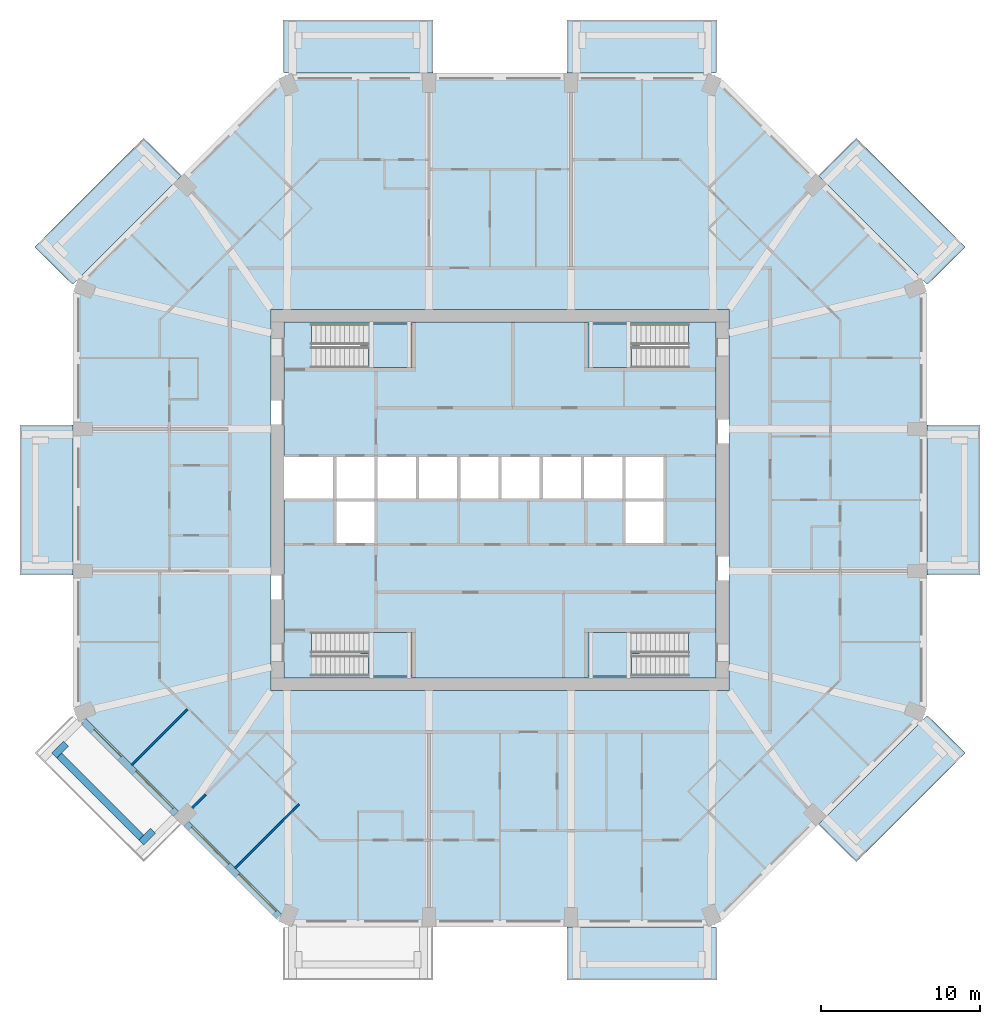
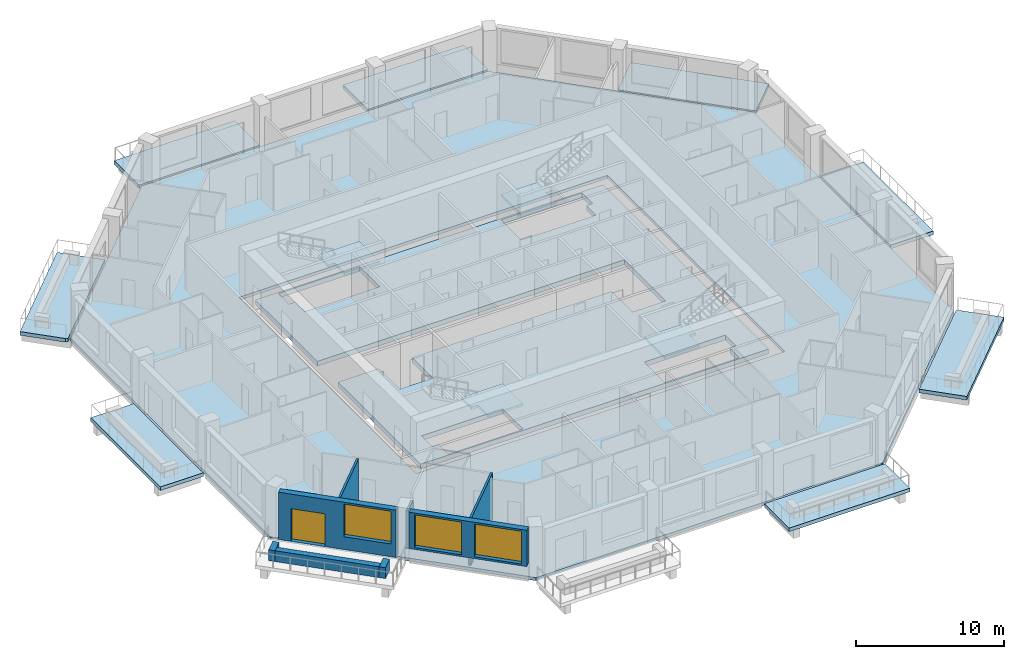
# One storey, part 2 of 13: 14 slabs, 8 walls, 3 windows, 1 door, 4 openings, 4 elements without a shape of their own.
"""IFC4 building model written with IfcOpenShell, lengths in metres."""

from ifc_helpers import new_model, si_unit, direction, frame, frame_2d, origin, place, context, subcontext, project, spatial, polyline, rectangle, outline, extrude, material, layer, layer_set, type_object, element, fill, aggregate, save


model = new_model("IFC4")

# Units and contexts
model_context = context("Model", 3, precision=1e-05, world=origin(), true_north=direction((0.0, 1.0)))
body_context = subcontext(model_context, "Body", "Model", "MODEL_VIEW")
ifc_project = project(units=[si_unit("LENGTHUNIT", "METRE"), si_unit("AREAUNIT", "SQUARE_METRE"), si_unit("VOLUMEUNIT", "CUBIC_METRE"), si_unit("PLANEANGLEUNIT", "RADIAN"), si_unit("MASSUNIT", "GRAM", prefix="KILO")], contexts=[model_context])

# Site, building, storey
site_placement = place(None, origin())
site = spatial("IfcSite", under=ifc_project, at=site_placement, CompositionType="ELEMENT")
building_placement = place(site_placement, origin())
building = spatial("IfcBuilding", under=site, at=building_placement, Name="Msitu Wima Residences", CompositionType="ELEMENT")
storey_placement = place(building_placement, frame((0.0, 0.0, 148.5)))
storey = spatial("IfcBuildingStorey", under=building, at=storey_placement, Name="L34", CompositionType="ELEMENT", Elevation=148.5)

# Slabs
ifc_material_1 = material(Name="Concrete C40/50", Category="concrete")
ifc_layer_1 = layer(ifc_material_1, 0.300048828125)
ifc_layer_set_1 = layer_set([ifc_layer_1], Name="Concrete C40/50")
slab_type_1 = type_object("IfcSlabType", Name="Balcony slab BS300", PredefinedType="FLOOR", material=ifc_layer_set_1)
slab_1_placement = place(storey_placement, frame((0.0, 0.0, -0.300048828125)))
element("IfcSlab", 1, at=slab_1_placement, inside=storey, type_object=slab_type_1, Name="Balcony E1 L34", PredefinedType="FLOOR", context=body_context, shape_type="SweptSolid", body=[
    extrude(outline(polyline([(26.85009765625, 4.0185546875), (26.85009765625, 4.0185546875), (26.85009765625, 4.71875), (30.199951171875, 4.71875), (30.199951171875, -4.71875), (26.85009765625, -4.71875), (26.85009765625, -4.0185546875), (26.85009765625, -4.0185546875), (26.85009765625, 4.0185546875)])), origin(), (0.0, 0.0, 1.0), 0.300048828125),
])
slab_2_placement = place(storey_placement, frame((0.0, 0.0, -0.300048828125)))
element("IfcSlab", 2, at=slab_2_placement, inside=storey, type_object=slab_type_1, Name="Balcony NE0 L34", PredefinedType="FLOOR", context=body_context, shape_type="SweptSolid", body=[
    extrude(outline(polyline([(22.4130859375, 22.766845703125), (29.263671875, 15.916015625), (27.003662109375, 13.656005859375), (26.85009765625, 13.59228515625), (20.04443359375, 20.39794921875), (22.4130859375, 22.766845703125)])), origin(), (0.0, 0.0, 1.0), 0.300048828125),
])
slab_3_placement = place(storey_placement, frame((0.0, 0.0, -0.300048828125)))
element("IfcSlab", 3, at=slab_3_placement, inside=storey, type_object=slab_type_1, Name="Balcony N0 L34", PredefinedType="FLOOR", context=body_context, shape_type="SweptSolid", body=[
    extrude(outline(polyline([(13.105224609375, 26.85009765625), (13.105224609375, 26.85009765625), (4.918701171875, 26.85009765625), (4.918701171875, 26.85009765625), (4.21875, 26.85009765625), (4.21875, 30.199951171875), (13.656005859375, 30.199951171875), (13.656005859375, 27.003662109375), (13.59228515625, 26.85009765625), (13.105224609375, 26.85009765625), (13.105224609375, 26.85009765625)])), origin(), (0.0, 0.0, 1.0), 0.300048828125),
])
slab_4_placement = place(storey_placement, frame((0.0, 0.0, -0.300048828125)))
element("IfcSlab", 4, at=slab_4_placement, inside=storey, type_object=slab_type_1, Name="Balcony N2 L34", PredefinedType="FLOOR", context=body_context, shape_type="SweptSolid", body=[
    extrude(outline(polyline([(-13.105224609375, 26.85009765625), (-13.105224609375, 26.85009765625), (-13.59228515625, 26.85009765625), (-13.656005859375, 27.003662109375), (-13.656005859375, 30.199951171875), (-4.21875, 30.199951171875), (-4.21875, 26.85009765625), (-4.918701171875, 26.85009765625), (-4.918701171875, 26.85009765625), (-13.105224609375, 26.85009765625), (-13.105224609375, 26.85009765625)])), origin(), (0.0, 0.0, 1.0), 0.300048828125),
])
slab_5_placement = place(storey_placement, frame((0.0, 0.0, -0.300048828125)))
element("IfcSlab", 5, at=slab_5_placement, inside=storey, type_object=slab_type_1, Name="Balcony NW1 L34", PredefinedType="FLOOR", context=body_context, shape_type="SweptSolid", body=[
    extrude(outline(polyline([(-29.263671875, 15.916015625), (-22.4130859375, 22.766845703125), (-20.04443359375, 20.39794921875), (-26.85009765625, 13.59228515625), (-27.003662109375, 13.656005859375), (-29.263671875, 15.916015625)])), origin(), (0.0, 0.0, 1.0), 0.300048828125),
])
slab_6_placement = place(storey_placement, frame((0.0, 0.0, -0.300048828125)))
element("IfcSlab", 6, at=slab_6_placement, inside=storey, type_object=slab_type_1, Name="Balcony W1 L34", PredefinedType="FLOOR", context=body_context, shape_type="SweptSolid", body=[
    extrude(outline(polyline([(-26.85009765625, -4.0185546875), (-26.85009765625, -4.0185546875), (-26.85009765625, -4.71875), (-30.199951171875, -4.71875), (-30.199951171875, 4.71875), (-26.85009765625, 4.71875), (-26.85009765625, 4.0185546875), (-26.85009765625, 4.0185546875), (-26.85009765625, -4.0185546875)])), origin(), (0.0, 0.0, 1.0), 0.300048828125),
])
slab_7_placement = place(storey_placement, frame((0.0, 0.0, -0.300048828125)))
element("IfcSlab", 7, at=slab_7_placement, inside=storey, type_object=slab_type_1, Name="Balcony S2 L34", PredefinedType="FLOOR", context=body_context, shape_type="SweptSolid", body=[
    extrude(outline(polyline([(13.105224609375, -26.85009765625), (13.105224609375, -26.85009765625), (13.59228515625, -26.85009765625), (13.656005859375, -27.003662109375), (13.656005859375, -30.199951171875), (4.21875, -30.199951171875), (4.21875, -26.85009765625), (4.918701171875, -26.85009765625), (4.918701171875, -26.85009765625), (13.105224609375, -26.85009765625), (13.105224609375, -26.85009765625)])), origin(), (0.0, 0.0, 1.0), 0.300048828125),
])
slab_8_placement = place(storey_placement, frame((0.0, 0.0, -0.300048828125)))
element("IfcSlab", 8, at=slab_8_placement, inside=storey, type_object=slab_type_1, Name="Balcony SE1 L34", PredefinedType="FLOOR", context=body_context, shape_type="SweptSolid", body=[
    extrude(outline(polyline([(29.263671875, -15.916015625), (22.4130859375, -22.766845703125), (20.04443359375, -20.39794921875), (26.85009765625, -13.59228515625), (27.003662109375, -13.656005859375), (29.263671875, -15.916015625)])), origin(), (0.0, 0.0, 1.0), 0.300048828125),
])
ifc_layer_2 = layer(ifc_material_1, 0.402099609375)
ifc_layer_set_2 = layer_set([ifc_layer_2], Name="Concrete C40/50")
slab_type_2 = type_object("IfcSlabType", Name="Core floor CF402", PredefinedType="FLOOR", material=ifc_layer_set_2)
slab_9_placement = place(storey_placement, frame((0.0, 0.0, -0.402099609375)))
element("IfcSlab", 9, at=slab_9_placement, inside=storey, type_object=slab_type_2, Name="Core floor", PredefinedType="FLOOR", context=body_context, shape_type="SweptSolid", body=[
    extrude(outline(polyline([(-13.60009765625, 11.199951171875), (-13.60009765625, 2.800048828125), (-10.39990234375, 2.800048828125), (-7.800048828125, 2.800048828125), (-5.199951171875, 2.800048828125), (-2.60009765625, 2.800048828125), (0.0, 2.800048828125), (2.60009765625, 2.800048828125), (5.199951171875, 2.800048828125), (7.800048828125, 2.800048828125), (10.39990234375, 2.800048828125), (10.39990234375, 0.0), (10.39990234375, -2.800048828125), (7.800048828125, -2.800048828125), (7.800048828125, 0.0), (5.199951171875, 0.0), (2.60009765625, 0.0), (0.0, 0.0), (-2.60009765625, 0.0), (-5.199951171875, 0.0), (-7.800048828125, 0.0), (-7.800048828125, -2.800048828125), (-10.39990234375, -2.800048828125), (-10.39990234375, 0.0), (-13.60009765625, 0.0), (-13.60009765625, -11.199951171875), (13.60009765625, -11.199951171875), (13.60009765625, 11.199951171875), (-13.60009765625, 11.199951171875)]), holes=[polyline([(-11.375, -11.074951171875), (-11.375, -9.77490234375), (-11.87451171875, -9.77490234375), (-11.87451171875, -8.324951171875), (-5.52490234375, -8.324951171875), (-5.52490234375, -11.074951171875), (-11.375, -11.074951171875)]), polyline([(-11.375, 9.625), (-11.87451171875, 9.625), (-11.87451171875, 11.074951171875), (-5.52490234375, 11.074951171875), (-5.52490234375, 8.324951171875), (-11.375, 8.324951171875), (-11.375, 9.625)]), polyline([(11.375, -9.77490234375), (11.375, -11.074951171875), (5.52490234375, -11.074951171875), (5.52490234375, -8.324951171875), (11.87451171875, -8.324951171875), (11.87451171875, -9.77490234375), (11.375, -9.77490234375)]), polyline([(11.375, 9.625), (11.375, 8.324951171875), (5.52490234375, 8.324951171875), (5.52490234375, 11.074951171875), (11.87451171875, 11.074951171875), (11.87451171875, 9.625), (11.375, 9.625)])]), origin(), (0.0, 0.0, 1.0), 0.402099609375),
])
ifc_layer_3 = layer(ifc_material_1, 0.25)
ifc_layer_set_3 = layer_set([ifc_layer_3], Name="Concrete C40/50")
slab_type_3 = type_object("IfcSlabType", Name="PT flat slab 250 Concrete C40/50", PredefinedType="FLOOR", material=ifc_layer_set_3)
slab_10_placement = place(storey_placement, frame((0.0, 0.0, -0.25)))
element("IfcSlab", 10, at=slab_10_placement, inside=storey, type_object=slab_type_3, Name="Floor slab L34", PredefinedType="FLOOR", context=body_context, shape_type="SweptSolid", body=[
    extrude(outline(polyline([(26.699951171875, -13.5302734375), (13.5302734375, -26.699951171875), (-13.5302734375, -26.699951171875), (-26.699951171875, -13.5302734375), (-26.699951171875, 13.5302734375), (-13.5302734375, 26.699951171875), (13.5302734375, 26.699951171875), (26.699951171875, 13.5302734375), (26.699951171875, -13.5302734375)]), holes=[polyline([(-14.39990234375, -12.0), (14.39990234375, -12.0), (14.39990234375, 12.0), (-14.39990234375, 12.0), (-14.39990234375, -12.0)])]), origin(), (0.0, 0.0, 1.0), 0.25),
])

# Stair, slab
stair_type = type_object("IfcStairType", Name="Exit stair ES1615-130", PredefinedType="HALF_TURN_STAIR", material=ifc_material_1)
stair_1_placement = place(storey_placement, origin())
stair_1 = element("IfcStair", 11, at=stair_1_placement, inside=storey, type_object=stair_type, Name="Exit stair 1", PredefinedType="HALF_TURN_STAIR")
ifc_layer_4 = layer(ifc_material_1, 0.199951171875)
ifc_layer_set_4 = layer_set([ifc_layer_4], Name="Concrete C40/50")
slab_type_4 = type_object("IfcSlabType", Name="Stair landing SL200", PredefinedType="LANDING", material=ifc_layer_set_4)
slab_11_placement = place(storey_placement, frame((0.0, 0.0, 1.89990234375)))
slab_11 = element("IfcSlab", 12, at=slab_11_placement, type_object=slab_type_4, Name="S1 landing 1", PredefinedType="LANDING", context=body_context, shape_type="SweptSolid", body=[
    extrude(outline(polyline([(-5.52490234375, 8.324951171875), (-8.275390625, 8.324951171875), (-8.275390625, 9.699951171875), (-8.77490234375, 9.699951171875), (-8.77490234375, 11.074951171875), (-5.52490234375, 11.074951171875), (-5.52490234375, 8.324951171875)])), origin(), (0.0, 0.0, 1.0), 0.2001953125),
])
aggregate(stair_1, [slab_11])

stair_2_placement = place(storey_placement, origin())
stair_2 = element("IfcStair", 13, at=stair_2_placement, inside=storey, type_object=stair_type, Name="Exit stair 2", PredefinedType="HALF_TURN_STAIR")
slab_12_placement = place(storey_placement, frame((0.0, 0.0, 1.89990234375)))
slab_12 = element("IfcSlab", 14, at=slab_12_placement, type_object=slab_type_4, Name="S2 landing 1", PredefinedType="LANDING", context=body_context, shape_type="SweptSolid", body=[
    extrude(outline(polyline([(-5.52490234375, -11.074951171875), (-8.275390625, -11.074951171875), (-8.275390625, -9.699951171875), (-8.77490234375, -9.699951171875), (-8.77490234375, -8.324951171875), (-5.52490234375, -8.324951171875), (-5.52490234375, -11.074951171875)])), origin(), (0.0, 0.0, 1.0), 0.2001953125),
])
aggregate(stair_2, [slab_12])

stair_3_placement = place(storey_placement, origin())
stair_3 = element("IfcStair", 15, at=stair_3_placement, inside=storey, type_object=stair_type, Name="Exit stair 3", PredefinedType="HALF_TURN_STAIR")
slab_13_placement = place(storey_placement, frame((0.0, 0.0, 1.89990234375)))
slab_13 = element("IfcSlab", 16, at=slab_13_placement, type_object=slab_type_4, Name="S3 landing 1", PredefinedType="LANDING", context=body_context, shape_type="SweptSolid", body=[
    extrude(outline(polyline([(5.52490234375, 8.324951171875), (8.275390625, 8.324951171875), (8.275390625, 9.699951171875), (8.77490234375, 9.699951171875), (8.77490234375, 11.074951171875), (5.52490234375, 11.074951171875), (5.52490234375, 8.324951171875)])), origin(), (0.0, 0.0, 1.0), 0.2001953125),
])
aggregate(stair_3, [slab_13])

stair_4_placement = place(storey_placement, origin())
stair_4 = element("IfcStair", 17, at=stair_4_placement, inside=storey, type_object=stair_type, Name="Exit stair 4", PredefinedType="HALF_TURN_STAIR")
slab_14_placement = place(storey_placement, frame((0.0, 0.0, 1.89990234375)))
slab_14 = element("IfcSlab", 18, at=slab_14_placement, type_object=slab_type_4, Name="S4 landing 1", PredefinedType="LANDING", context=body_context, shape_type="SweptSolid", body=[
    extrude(outline(polyline([(5.52490234375, -11.074951171875), (8.275390625, -11.074951171875), (8.275390625, -9.699951171875), (8.77490234375, -9.699951171875), (8.77490234375, -8.324951171875), (5.52490234375, -8.324951171875), (5.52490234375, -11.074951171875)])), origin(), (0.0, 0.0, 1.0), 0.2001953125),
])
aggregate(stair_4, [slab_14])

# Walls
ifc_material_2 = material(Name="Facing brick")
ifc_layer_5 = layer(ifc_material_2, 0.06494140625, Name="Facing brick")
ifc_layer_6 = layer(ifc_material_1, 0.156005859375, Name="Concrete C40/50")
ifc_material_3 = material(Name="Waterproofing membrane")
ifc_layer_7 = layer(ifc_material_3, 0.00390625, Name="Waterproofing membrane")
ifc_material_4 = material(Name="Planting soil and planting")
ifc_layer_8 = layer(ifc_material_4, 0.22509765625, Name="Planting soil and planting")
ifc_layer_set_5 = layer_set([ifc_layer_5, ifc_layer_6, ifc_layer_7, ifc_layer_8], Name="Concrete C40/50")
wall_type_1 = type_object("IfcWallType", Name="Balcony planter PLANTER PL450", PredefinedType="USERDEFINED", material=ifc_layer_set_5)
wall_1_placement = place(storey_placement, frame((-27.725830078125, -16.0751953125, 0.0), z_axis=(0.0, 0.0, 1.0), x_axis=(0.707106781187, -0.707106781187, 0.0)))
element("IfcWall", 19, at=wall_1_placement, inside=storey, type_object=wall_type_1, Name="Balcony planter SW0 L34", ObjectType="PLANTER", PredefinedType="USERDEFINED", context=body_context, shape_type="SweptSolid", body=[
    extrude(rectangle(XDim=7.288330078125, YDim=0.449951171875, at=frame_2d((3.64404296875, 0.0))), origin(), (0.0, 0.0, 1.0), 0.89990234375),
])
for number, where, z_axis, x_axis, name in (
    (20, (-27.301513671875, -15.332763671875, 0.0), (0.0, 0.0, 1.0), (-0.707106781187, -0.707106781187, 0.0), "Balcony planter SW0 L34"),
    (21, (-21.829833984375, -20.804443359375, 0.0), (0.0, 0.0, 1.0), (-0.707106781187, -0.707106781187, 0.0), "Balcony planter SW0 L34"),
):
    element("IfcWall", number, at=place(storey_placement, frame(where, z_axis=z_axis, x_axis=x_axis)), inside=storey, type_object=wall_type_1, Name=name, ObjectType="PLANTER", PredefinedType="USERDEFINED", context=body_context, shape_type="SweptSolid", body=[
        extrude(rectangle(XDim=1.050048828125, YDim=0.449951171875, at=frame_2d((0.52490234375, 0.0))), origin(), (0.0, 0.0, 1.0), 0.89990234375),
    ])

# Wall, openings, door, window
ifc_material_5 = material(Name="Brick (red buff mix)", Category="masonry")
ifc_layer_9 = layer(ifc_material_5, 0.449951171875)
ifc_layer_set_6 = layer_set([ifc_layer_9], Name="Brick (red buff mix)")
wall_type_2 = type_object("IfcWallType", Name="Brick infill wall BW450", PredefinedType="SOLIDWALL", material=ifc_layer_set_6)
wall_2_placement = place(storey_placement, frame((-26.214599609375, -13.909423828125, 0.0), z_axis=(0.0, 0.0, 1.0), x_axis=(0.707106781187, -0.707106781187, 0.0)))
wall_2 = element("IfcWall", 22, at=wall_2_placement, inside=storey, type_object=wall_type_2, Name="Brick infill wall L34 SW0", PredefinedType="SOLIDWALL", context=body_context, shape_type="SweptSolid", body=[
    extrude(rectangle(XDim=8.251220703125, YDim=0.449951171875, at=frame_2d((4.12548828125, 0.0))), origin(), (0.0, 0.0, 1.0), 3.89990234375),
])
opening_1_placement = place(wall_2_placement, frame((0.86279296875, 0.0, 0.0)))
opening_1 = element("IfcOpeningElement", 23, at=opening_1_placement, cuts=wall_2, Name="Opening D34-35.009", PredefinedType="OPENING", context=body_context, shape_type="SweptSolid", body=[
    extrude(rectangle(XDim=2.39990234375, YDim=2.699951171875, at=frame_2d((1.199951171875, 1.35009765625))), frame((0.0, 0.23486328125, 0.0), z_axis=(0.0, -1.0, 0.0), x_axis=(1.0, 0.0, 0.0)), (0.0, 0.0, 1.0), 0.469970703125),
])
opening_2_placement = place(wall_2_placement, frame((4.57568359375, 0.0, 1.050048828125)))
opening_2 = element("IfcOpeningElement", 24, at=opening_2_placement, cuts=wall_2, Name="Opening W34-35.023", PredefinedType="OPENING", context=body_context, shape_type="SweptSolid", body=[
    extrude(rectangle(XDim=3.300048828125, YDim=2.699951171875, at=frame_2d((1.64990234375, 1.35009765625))), frame((0.0, 0.23486328125, 0.0), z_axis=(0.0, -1.0, 0.0), x_axis=(1.0, 0.0, 0.0)), (0.0, 0.0, 1.0), 0.469970703125),
])
ifc_material_6 = material(Name="Anodised aluminium, bronze finish, clear low-emissivity double glazing", Category="aluminium")
door_type = type_object("IfcDoorType", Name="Balcony door D2400x2700", OperationType="SLIDING_TO_LEFT", PredefinedType="DOOR", material=ifc_material_6)
door_placement = place(opening_1_placement, origin())
door = element("IfcDoor", 25, at=door_placement, inside=storey, type_object=door_type, Name="Balcony door L34 SW0", OperationType="SINGLE_SWING_LEFT", OverallHeight=2.699951171875, OverallWidth=2.39990234375, PredefinedType="DOOR", context=body_context, shape_type="SweptSolid", body=[
    extrude(rectangle(XDim=2.39990234375, YDim=2.699951171875, at=frame_2d((1.199951171875, 1.35009765625))), frame((0.0, 0.1298828125, 0.0), z_axis=(0.0, -1.0, 0.0), x_axis=(1.0, 0.0, 0.0)), (0.0, 0.0, 1.0), 0.050048828125),
])
fill(opening_1, door)
window_type = type_object("IfcWindowType", Name="Window W3300x2700", PartitioningType="DOUBLE_PANEL_VERTICAL", PredefinedType="WINDOW", material=ifc_material_6)
window_1_placement = place(opening_2_placement, origin())
window_1 = element("IfcWindow", 26, at=window_1_placement, inside=storey, type_object=window_type, Name="Window L34 SW0.2", OverallHeight=2.699951171875, OverallWidth=3.300048828125, PartitioningType="SINGLE_PANEL", PredefinedType="WINDOW", context=body_context, shape_type="SweptSolid", body=[
    extrude(rectangle(XDim=3.300048828125, YDim=2.699951171875, at=frame_2d((1.64990234375, 1.35009765625))), frame((0.0, 0.135009765625, 0.0), z_axis=(0.0, -1.0, 0.0), x_axis=(1.0, 0.0, 0.0)), (0.0, 0.0, 1.0), 0.06005859375),
])
fill(opening_2, window_1)

# Wall, openings, windows
wall_3_placement = place(storey_placement, frame((-19.743896484375, -20.380126953125, 0.89990234375), z_axis=(0.0, 0.0, 1.0), x_axis=(0.707106781187, -0.707106781187, 0.0)))
wall_3 = element("IfcWall", 27, at=wall_3_placement, inside=storey, type_object=wall_type_2, Name="Brick infill wall L34 SW1", PredefinedType="SOLIDWALL", context=body_context, shape_type="SweptSolid", body=[
    extrude(rectangle(XDim=8.251220703125, YDim=0.449951171875, at=frame_2d((4.12548828125, 0.0))), origin(), (0.0, 0.0, 1.0), 3.0),
])
opening_3_placement = place(wall_3_placement, frame((0.37548828125, 0.0, 0.14990234375)))
opening_3 = element("IfcOpeningElement", 28, at=opening_3_placement, cuts=wall_3, Name="Opening W34-35.024", PredefinedType="OPENING", context=body_context, shape_type="SweptSolid", body=[
    extrude(rectangle(XDim=3.300048828125, YDim=2.699951171875, at=frame_2d((1.64990234375, 1.35009765625))), frame((0.0, 0.23486328125, 0.0), z_axis=(0.0, -1.0, 0.0), x_axis=(1.0, 0.0, 0.0)), (0.0, 0.0, 1.0), 0.469970703125),
])
opening_4_placement = place(wall_3_placement, frame((4.57568359375, 0.0, 0.14990234375)))
opening_4 = element("IfcOpeningElement", 29, at=opening_4_placement, cuts=wall_3, Name="Opening W34-35.025", PredefinedType="OPENING", context=body_context, shape_type="SweptSolid", body=[
    extrude(rectangle(XDim=3.300048828125, YDim=2.699951171875, at=frame_2d((1.64990234375, 1.35009765625))), frame((0.0, 0.23486328125, 0.0), z_axis=(0.0, -1.0, 0.0), x_axis=(1.0, 0.0, 0.0)), (0.0, 0.0, 1.0), 0.469970703125),
])
window_2_placement = place(opening_3_placement, origin())
window_2 = element("IfcWindow", 30, at=window_2_placement, inside=storey, type_object=window_type, Name="Window L34 SW1.1", OverallHeight=2.699951171875, OverallWidth=3.300048828125, PartitioningType="SINGLE_PANEL", PredefinedType="WINDOW", context=body_context, shape_type="SweptSolid", body=[
    extrude(rectangle(XDim=3.300048828125, YDim=2.699951171875, at=frame_2d((1.64990234375, 1.35009765625))), frame((0.0, 0.135009765625, 0.0), z_axis=(0.0, -1.0, 0.0), x_axis=(1.0, 0.0, 0.0)), (0.0, 0.0, 1.0), 0.06005859375),
])
fill(opening_3, window_2)
window_3_placement = place(opening_4_placement, origin())
window_3 = element("IfcWindow", 31, at=window_3_placement, inside=storey, type_object=window_type, Name="Window L34 SW1.2", OverallHeight=2.699951171875, OverallWidth=3.300048828125, PartitioningType="SINGLE_PANEL", PredefinedType="WINDOW", context=body_context, shape_type="SweptSolid", body=[
    extrude(rectangle(XDim=3.300048828125, YDim=2.699951171875, at=frame_2d((1.64990234375, 1.35009765625))), frame((0.0, 0.135009765625, 0.0), z_axis=(0.0, -1.0, 0.0), x_axis=(1.0, 0.0, 0.0)), (0.0, 0.0, 1.0), 0.06005859375),
])
fill(opening_4, window_3)

# Walls
ifc_material_7 = material(Name="Plaster")
ifc_layer_10 = layer(ifc_material_7, 0.011962890625, Name="Plaster")
ifc_material_8 = material(Name="Concrete blockwork", Category="masonry")
ifc_layer_11 = layer(ifc_material_8, 0.1259765625, Name="Concrete blockwork")
ifc_layer_12 = layer(ifc_material_7, 0.011962890625, Name="Plaster")
ifc_layer_set_7 = layer_set([ifc_layer_10, ifc_layer_11, ifc_layer_12], Name="Concrete blockwork")
wall_type_3 = type_object("IfcWallType", Name="Partition PW150", PredefinedType="PARTITIONING", material=ifc_layer_set_7)
wall_4_placement = place(storey_placement, frame((-23.1904296875, -16.693359375, 0.0), z_axis=(0.0, 0.0, 1.0), x_axis=(0.707106781187, 0.707106781187, 0.0)))
element("IfcWall", 32, at=wall_4_placement, inside=storey, type_object=wall_type_3, Name="Partition", PredefinedType="PARTITIONING", context=body_context, shape_type="SweptSolid", body=[
    extrude(rectangle(XDim=4.980224609375, YDim=0.14990234375, at=frame_2d((2.490234375, 0.0))), origin(), (0.0, 0.0, 1.0), 3.798095703125),
])
wall_5_placement = place(storey_placement, frame((-19.37255859375, -19.37255859375, 0.0), z_axis=(0.0, 0.0, 1.0), x_axis=(0.707106781187, 0.707106781187, 0.0)))
element("IfcWall", 33, at=wall_5_placement, inside=storey, type_object=wall_type_3, Name="Partition", PredefinedType="PARTITIONING", context=body_context, shape_type="SweptSolid", body=[
    extrude(rectangle(XDim=1.209228515625, YDim=0.14990234375, at=frame_2d((0.6044921875, 0.0))), origin(), (0.0, 0.0, 1.0), 3.14990234375),
])
wall_6_placement = place(storey_placement, frame((-16.693359375, -23.1904296875, 0.0), z_axis=(0.0, 0.0, 1.0), x_axis=(0.707106781187, 0.707106781187, 0.0)))
element("IfcWall", 34, at=wall_6_placement, inside=storey, type_object=wall_type_3, Name="Partition", PredefinedType="PARTITIONING", context=body_context, shape_type="SweptSolid", body=[
    extrude(rectangle(XDim=5.72998046875, YDim=0.14990234375, at=frame_2d((2.864990234375, 0.0))), origin(), (0.0, 0.0, 1.0), 3.798095703125),
])

save(model, "model.ifc")
